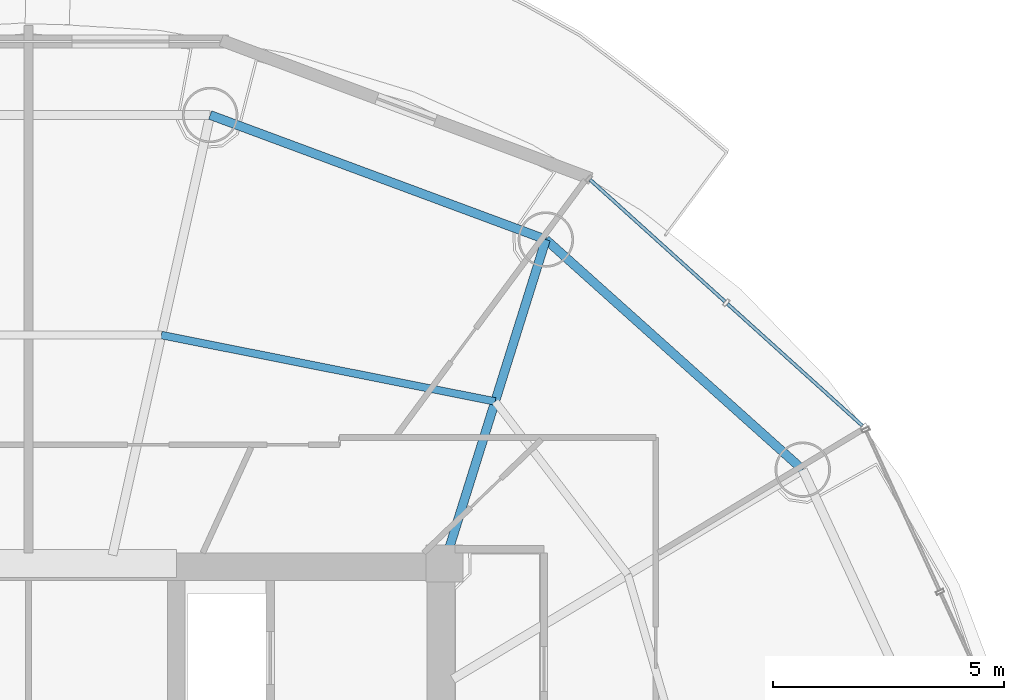
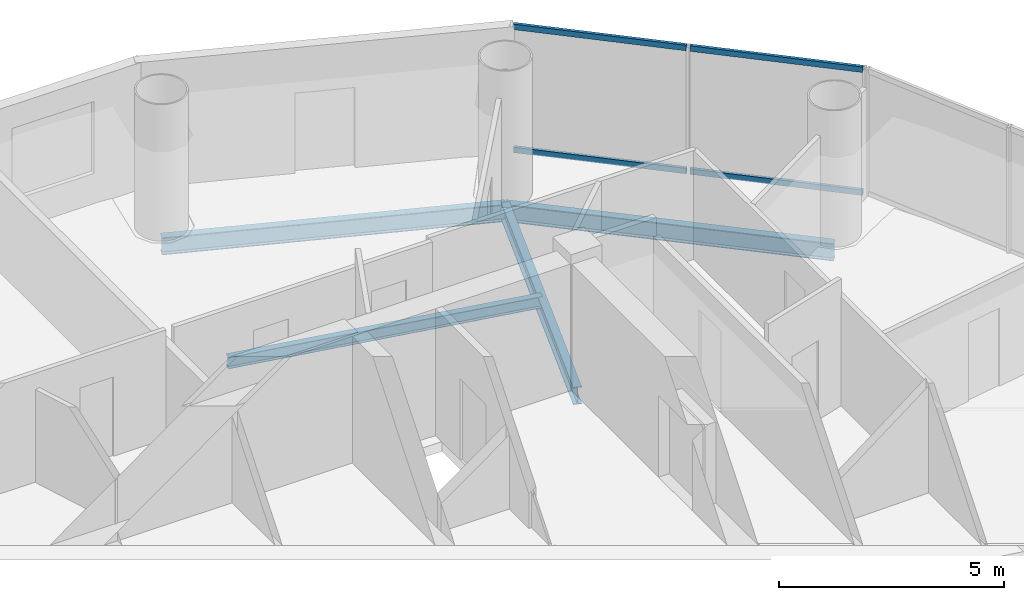
# One storey, part 17 of 26: 4 beams, 4 members, 1 element without a shape of its own.
"""IFC4 building model written with IfcOpenShell, lengths in metres."""

import ifcopenshell
import ifcopenshell.guid

model = None  # the IFC model being written
_history = None  # IfcOwnerHistory: only IFC2X3 demands one
_inside = {}  # id of a spatial element -> (the spatial element, [elements in it])
_under = {}  # id of a project, library or spatial element -> (it, [spatial elements below it])
_declared = {}  # id of a project -> (the project, [libraries it declares])
_typed = {}  # id of a type object -> (the type object, [elements of that type])
_made_of = {}  # id of a material, layer set ... -> (it, [elements and type objects made of it])


def new_model(schema):
    """Start an empty IFC model of exactly this schema.

    Asked for "IFC4X3", IfcOpenShell would pick the latest addendum, in which some entities
    have other attributes; the version numbers below select the first issue.
    IFC2X3 requires an IfcOwnerHistory on every rooted entity: one is made here for all.
    """
    global model, _history
    if schema == "IFC4X3":
        model = ifcopenshell.file(schema_version=(4, 3, 0, 0))
    else:
        model = ifcopenshell.file(schema=schema)
    _inside.clear()
    _under.clear()
    _declared.clear()
    _typed.clear()
    _made_of.clear()
    _history = None
    if model.schema == "IFC2X3":
        org = make("IfcOrganization", Name="unknown")
        user = make(
            "IfcPersonAndOrganization",
            ThePerson=make("IfcPerson", FamilyName="unknown"),
            TheOrganization=org,
        )
        app = make(
            "IfcApplication",
            ApplicationDeveloper=org,
            Version="unknown",
            ApplicationFullName="unknown",
            ApplicationIdentifier="unknown",
        )
        _history = make(
            "IfcOwnerHistory",
            OwningUser=user,
            OwningApplication=app,
            ChangeAction="ADDED",
            CreationDate=0,
        )
    return model


def make(cls, **values):
    """One entity of the class cls with the attributes given. An attribute that is None is left unset."""
    return model.create_entity(
        cls, **{name: value for name, value in values.items() if value is not None}
    )


def rooted(cls, **values):
    """An entity with a GlobalId (a new one), such as an element, a storey or a relation."""
    return make(cls, GlobalId=ifcopenshell.guid.new(), OwnerHistory=_history, **values)


def si_unit(unit_type, name, prefix=None):
    """IfcSIUnit, for example si_unit("LENGTHUNIT", "METRE", prefix="MILLI")."""
    return make("IfcSIUnit", UnitType=unit_type, Prefix=prefix, Name=name)


def assignment(units):
    """IfcUnitAssignment: the units of a project."""
    return None if units is None else make("IfcUnitAssignment", Units=units)


def point(xyz):
    """IfcCartesianPoint."""
    return None if xyz is None else make("IfcCartesianPoint", Coordinates=xyz)


def direction(xyz):
    """IfcDirection."""
    return None if xyz is None else make("IfcDirection", DirectionRatios=xyz)


def frame(location, z_axis=None, x_axis=None):
    """IfcAxis2Placement3D, a coordinate frame: its origin and axes. An axis left out is left unset."""
    return make(
        "IfcAxis2Placement3D",
        Location=point(location),
        Axis=direction(z_axis),
        RefDirection=direction(x_axis),
    )


def frame_2d(location, x_axis=None):
    """IfcAxis2Placement2D, a coordinate frame in the plane: its origin and x axis."""
    return make(
        "IfcAxis2Placement2D", Location=point(location), RefDirection=direction(x_axis)
    )


def origin():
    """The frame at (0, 0, 0) with its axes left unset."""
    return frame((0.0, 0.0, 0.0))


def origin_2d():
    """The frame at (0, 0) in the plane with its x axis left unset."""
    return frame_2d((0.0, 0.0))


def place(relative_to, where):
    """IfcLocalPlacement: puts the frame where relative to a parent placement (None: the world)."""
    return make(
        "IfcLocalPlacement", PlacementRelTo=relative_to, RelativePlacement=where
    )


def context(
    kind, dimensions, precision=None, world=None, true_north=None, identifier=None
):
    """IfcGeometricRepresentationContext, for example the 3D "Model" context."""
    return make(
        "IfcGeometricRepresentationContext",
        ContextIdentifier=identifier,
        ContextType=kind,
        CoordinateSpaceDimension=dimensions,
        Precision=precision,
        WorldCoordinateSystem=world,
        TrueNorth=true_north,
    )


def subcontext(parent, identifier, kind, view, scale=None):
    """IfcGeometricRepresentationSubContext, for example "Body" below "Model"."""
    return make(
        "IfcGeometricRepresentationSubContext",
        ContextIdentifier=identifier,
        ContextType=kind,
        ParentContext=parent,
        TargetScale=scale,
        TargetView=view,
    )


def project(units=None, contexts=None):
    """IfcProject with its units and contexts."""
    return rooted(
        "IfcProject",
        Name="project",
        RepresentationContexts=contexts,
        UnitsInContext=assignment(units),
    )


def spatial(cls, under=None, at=None, **own):
    """A site, building, storey or space (cls), placed at a placement, below another one or the project."""
    s = rooted(cls, ObjectPlacement=at, **own)
    if under is not None:
        _under.setdefault(under.id(), (under, []))[1].append(s)
    return s


def profile(cls, at=None, kind="AREA", **sizes):
    """A parametric profile (cls). Its sizes go by their IFC names, for example OverallWidth=200.0."""
    return make(cls, ProfileType=kind, Position=at, **sizes)


def hollow_rectangle(**sizes):
    """IfcRectangleHollowProfileDef."""
    return profile("IfcRectangleHollowProfileDef", **sizes)


def i_section(**sizes):
    """IfcIShapeProfileDef."""
    return profile("IfcIShapeProfileDef", **sizes)


def extrude(swept, where, along, depth):
    """IfcExtrudedAreaSolid: the profile swept, set in the frame where, extruded along a direction by depth."""
    return make(
        "IfcExtrudedAreaSolid",
        SweptArea=swept,
        Position=where,
        ExtrudedDirection=direction(along),
        Depth=depth,
    )


def shape(context_of_items, identifier, shape_type, items):
    """IfcShapeRepresentation: the items that make up one representation, for example the "Body"."""
    return make(
        "IfcShapeRepresentation",
        ContextOfItems=context_of_items,
        RepresentationIdentifier=identifier,
        RepresentationType=shape_type,
        Items=items,
    )


def source(mapping_origin, context_of_items, identifier, shape_type, items):
    """IfcRepresentationMap: a shape defined once, which mapped items show again and again."""
    return make(
        "IfcRepresentationMap",
        MappingOrigin=mapping_origin,
        MappedRepresentation=shape(context_of_items, identifier, shape_type, items),
    )


def transform(
    local_origin,
    x_axis=None,
    y_axis=None,
    z_axis=None,
    scale=None,
    scale2=None,
    scale3=None,
    uniform=True,
):
    """IfcCartesianTransformationOperator3D, or its non-uniform kind. x_axis, y_axis, z_axis: its Axis1, 2, 3."""
    if uniform:
        return make(
            "IfcCartesianTransformationOperator3D",
            Axis1=direction(x_axis),
            Axis2=direction(y_axis),
            LocalOrigin=point(local_origin),
            Scale=scale,
            Axis3=direction(z_axis),
        )
    return make(
        "IfcCartesianTransformationOperator3DnonUniform",
        Axis1=direction(x_axis),
        Axis2=direction(y_axis),
        LocalOrigin=point(local_origin),
        Scale=scale,
        Axis3=direction(z_axis),
        Scale2=scale2,
        Scale3=scale3,
    )


def mapped(mapping_source, mapping_target):
    """IfcMappedItem: shows the shape of a source again, moved by a transform."""
    return make(
        "IfcMappedItem", MappingSource=mapping_source, MappingTarget=mapping_target
    )


def material(Name=None, Category=None):
    """IfcMaterial."""
    return make("IfcMaterial", Name=Name, Category=Category)


def material_profile(
    of_material, cross_section, Name=None, Category=None, Priority=None
):
    """IfcMaterialProfile: a cross section and its material."""
    return make(
        "IfcMaterialProfile",
        Name=Name,
        Material=of_material,
        Profile=cross_section,
        Priority=Priority,
        Category=Category,
    )


def profile_set(profiles, Name=None, composite=None):
    """IfcMaterialProfileSet."""
    return make(
        "IfcMaterialProfileSet",
        Name=Name,
        MaterialProfiles=profiles,
        CompositeProfile=composite,
    )


def made_of(thing, what):
    """Note that an element or type object is made of a material, layer set ...; save() writes the relation."""
    if what is not None:
        _made_of.setdefault(what.id(), (what, []))[1].append(thing)
    return thing


def type_object(cls, material=None, **own):
    """A type object (cls), such as IfcWallType, which elements share."""
    return made_of(rooted(cls, **own), material)


def element(
    cls,
    number,
    at=None,
    inside=None,
    cuts=None,
    type_object=None,
    material=None,
    context=None,
    identifier="Body",
    shape_type=None,
    held_by="IfcProductDefinitionShape",
    body=None,
    shapes=None,
    **own,
):
    """One element of the class cls, such as IfcWall. Its Tag is "e" and its number.

    at: its placement. inside: the storey or other place that contains it. cuts: it is an
    opening in that element (IfcRelVoidsElement). A single representation is given by context,
    identifier, shape_type and body (its items); several are given by shapes. held_by: the class
    of the entity that holds the representations. save() writes the other relations.
    """
    e = rooted(cls, Tag="e%d" % number, ObjectPlacement=at, **own)
    if body is not None:
        shapes = [shape(context, identifier, shape_type, body)]
    if shapes is not None:
        e.Representation = make(held_by, Representations=shapes)
    if inside is not None:
        _inside.setdefault(inside.id(), (inside, []))[1].append(e)
    if cuts is not None:
        rooted(
            "IfcRelVoidsElement", RelatingBuildingElement=cuts, RelatedOpeningElement=e
        )
    if type_object is not None:
        _typed.setdefault(type_object.id(), (type_object, []))[1].append(e)
    return made_of(e, material)


def aggregate(whole, parts):
    """IfcRelAggregates: a whole, such as a stair, and the parts it consists of."""
    return rooted("IfcRelAggregates", RelatingObject=whole, RelatedObjects=parts)


def save(model, path):
    """Write the relations noted so far, then the file.

    IfcRelAggregates (storeys below a building ...), IfcRelContainedInSpatialStructure (elements
    in a storey), IfcRelDefinesByType, IfcRelAssociatesMaterial and IfcRelDeclares: one each for
    every whole, place, type object, material and project.
    """
    for whole, parts in _under.values():
        aggregate(whole, parts)
    for where, things in _inside.values():
        rooted(
            "IfcRelContainedInSpatialStructure",
            RelatedElements=things,
            RelatingStructure=where,
        )
    for kind, things in _typed.values():
        rooted("IfcRelDefinesByType", RelatedObjects=things, RelatingType=kind)
    for what, things in _made_of.values():
        rooted("IfcRelAssociatesMaterial", RelatedObjects=things, RelatingMaterial=what)
    for by, libraries in _declared.values():
        rooted("IfcRelDeclares", RelatingContext=by, RelatedDefinitions=libraries)
    model.write(path)


model = new_model("IFC4")

# Units and contexts
model_context = context("Model", 3, precision=1e-05, world=origin(), true_north=direction((-0.2419218956, 0.970295726276)))
body_context = subcontext(model_context, "Body", "Model", "MODEL_VIEW")
ifc_project = project(units=[si_unit("LENGTHUNIT", "METRE"), si_unit("AREAUNIT", "SQUARE_METRE"), si_unit("VOLUMEUNIT", "CUBIC_METRE"), si_unit("PLANEANGLEUNIT", "RADIAN"), si_unit("MASSUNIT", "GRAM", prefix="KILO")], contexts=[model_context])

# Site, building, storey
site_placement = place(None, origin())
site = spatial("IfcSite", under=ifc_project, at=site_placement, CompositionType="ELEMENT")
building_placement = place(site_placement, origin())
building = spatial("IfcBuilding", under=site, at=building_placement, Name="Cobrevalo Terracotta Tower", CompositionType="ELEMENT")
storey_placement = place(building_placement, frame((0.0, 0.0, 209.699951171875)))
storey = spatial("IfcBuildingStorey", under=building, at=storey_placement, Name="L55", CompositionType="ELEMENT", Elevation=209.699951171875)

# Beams
ifc_material_1 = material(Name="Steel S355", Category="steel")
ifc_material_profile_1 = material_profile(ifc_material_1, i_section(OverallWidth=0.194091796875, OverallDepth=0.468994140625, WebThickness=0.011474609375, FlangeThickness=0.0205078125, at=origin_2d()), Name="W 460x106")
ifc_profile_set_1 = profile_set([ifc_material_profile_1], Name="Steel S355")
beam_type_1 = type_object("IfcBeamType", Name="Structural Beam W 460x106 (Steel S355)", PredefinedType="BEAM", material=ifc_profile_set_1)
beam_1_placement = place(storey_placement, frame((49.19482421875, 41.80810546875, -0.49951171875), z_axis=(-0.298871212691, -0.954293454984, 0.0), x_axis=(0.954293454984, -0.298871212691, 0.0)))
element("IfcBeam", 1, at=beam_1_placement, inside=storey, type_object=beam_type_1, Name="L55 radial floor girder 03", PredefinedType="BEAM", context=body_context, shape_type="SweptSolid", body=[
    extrude(i_section(OverallWidth=0.194091796875, OverallDepth=0.468994140625, WebThickness=0.011474609375, FlangeThickness=0.0205078125, at=origin_2d()), origin(), (0.0, 0.0, 1.0), 7.34375),
])
ifc_material_profile_2 = material_profile(ifc_material_1, i_section(OverallWidth=0.1650390625, OverallDepth=0.31005859375, WebThickness=0.005859375, FlangeThickness=0.009765625, at=origin_2d()), Name="W 310x38.7")
ifc_profile_set_2 = profile_set([ifc_material_profile_2], Name="Steel S355")
beam_type_2 = type_object("IfcBeamType", Name="Structural Joist W 310x38.7 (Steel S355)", PredefinedType="JOIST", material=ifc_profile_set_2)
beam_2_placement = place(storey_placement, frame((48.097412109375, 38.303955078125, -0.419921875), z_axis=(-0.980762562197, 0.195204499418, 0.0), x_axis=(-0.195204499418, -0.980762562197, 0.0)))
element("IfcBeam", 2, at=beam_2_placement, inside=storey, type_object=beam_type_2, Name="L55 circumferential secondary floor joist 03", PredefinedType="JOIST", context=body_context, shape_type="SweptSolid", body=[
    extrude(i_section(OverallWidth=0.1650390625, OverallDepth=0.31005859375, WebThickness=0.005859375, FlangeThickness=0.009765625, at=origin_2d()), origin(), (0.0, 0.0, 1.0), 7.365234375),
])
ifc_material_profile_3 = material_profile(ifc_material_1, i_section(OverallWidth=0.194091796875, OverallDepth=0.468994140625, WebThickness=0.011474609375, FlangeThickness=0.0205078125, at=origin_2d()), Name="W 460x106")
ifc_profile_set_3 = profile_set([ifc_material_profile_3], Name="Steel S355")
beam_type_3 = type_object("IfcBeamType", Name="Structural Spandrel W 460x106 (Steel S355)", PredefinedType="SPANDREL", material=ifc_profile_set_3)
beam_3_placement = place(storey_placement, frame((54.754150390625, 36.828125, -0.49951171875), z_axis=(-0.744851930997, 0.667229796165, 0.0), x_axis=(-0.667229796165, -0.744851930997, 0.0)))
element("IfcBeam", 3, at=beam_3_placement, inside=storey, type_object=beam_type_3, Name="L55 perimeter ring spandrel 02", PredefinedType="SPANDREL", context=body_context, shape_type="SweptSolid", body=[
    extrude(i_section(OverallWidth=0.194091796875, OverallDepth=0.468994140625, WebThickness=0.011474609375, FlangeThickness=0.0205078125, at=origin_2d()), origin(), (0.0, 0.0, 1.0), 7.463623046875),
])
beam_4_placement = place(storey_placement, frame((49.19482421875, 41.80810546875, -0.49951171875), z_axis=(-0.937545996665, 0.347861328892, 0.0), x_axis=(-0.347861328892, -0.937545996665, 0.0)))
element("IfcBeam", 4, at=beam_4_placement, inside=storey, type_object=beam_type_3, Name="L55 perimeter ring spandrel 03", PredefinedType="SPANDREL", context=body_context, shape_type="SweptSolid", body=[
    extrude(i_section(OverallWidth=0.194091796875, OverallDepth=0.468994140625, WebThickness=0.011474609375, FlangeThickness=0.0205078125, at=origin_2d()), origin(), (0.0, 0.0, 1.0), 7.74755859375),
])

# Curtain wall, members
ifc_material_2 = material(Name="Anodized aluminium", Category="aluminium")
curtain_wall_type = type_object("IfcCurtainWallType", Name="Mid-tower high-wind unitised curtain wall CW-U2", PredefinedType="NOTDEFINED", material=ifc_material_2)
curtain_wall_placement = place(storey_placement, origin())
curtain_wall = element("IfcCurtainWall", 5, at=curtain_wall_placement, inside=storey, type_object=curtain_wall_type, Name="L55 curtain wall CW-L55-S02", PredefinedType="NOTDEFINED")
ifc_material_profile_4 = material_profile(ifc_material_2, hollow_rectangle(XDim=0.074951171875, YDim=0.14990234375, WallThickness=0.00439453125, at=origin_2d()), Name="CWT 75x150")
ifc_profile_set_4 = profile_set([ifc_material_profile_4], Name="Anodized aluminium")
member_type = type_object("IfcMemberType", Name="Tower unitised aluminium transom 75x150", PredefinedType="USERDEFINED", material=ifc_profile_set_4)
shared_shape_1 = source(origin(), body_context, "Body", "SweptSolid", [
    extrude(hollow_rectangle(XDim=0.074951171875, YDim=0.14990234375, WallThickness=0.00439453125, at=origin_2d()), origin(), (0.0, 0.0, 1.0), 3.927490234375),
])
member_1_placement = place(storey_placement, frame((56.041748046875, 37.78173828125, 0.050048828125), z_axis=(-0.741975952623, 0.670426495396, 0.0), x_axis=(-0.670426495396, -0.741975952623, 0.0)))
member_1 = element("IfcMember", 6, at=member_1_placement, type_object=member_type, Name="CW-L55-S02 transom B01-T1", ObjectType="TRANSOM", PredefinedType="USERDEFINED", context=body_context, shape_type="MappedRepresentation", body=[
    mapped(shared_shape_1, transform((0.0, 0.0, 0.0), scale=1.0)),
])
member_2_placement = place(storey_placement, frame((56.041748046875, 37.78173828125, 3.385009765625), z_axis=(-0.741975952623, 0.670426495396, 0.0), x_axis=(-0.670426495396, -0.741975952623, 0.0)))
member_2 = element("IfcMember", 7, at=member_2_placement, type_object=member_type, Name="CW-L55-S02 transom B01-T2", ObjectType="TRANSOM", PredefinedType="USERDEFINED", context=body_context, shape_type="MappedRepresentation", body=[
    mapped(shared_shape_1, transform((0.0, 0.0, 0.0), scale=1.0)),
])
shared_shape_2 = source(origin(), body_context, "Body", "SweptSolid", [
    extrude(hollow_rectangle(XDim=0.074951171875, YDim=0.14990234375, WallThickness=0.00439453125, at=origin_2d()), origin(), (0.0, 0.0, 1.0), 3.927734375),
])
member_3_placement = place(storey_placement, frame((53.068359375, 40.46826171875, 0.050048828125), z_axis=(-0.742003891138, 0.670395573923, 0.0), x_axis=(-0.670395573923, -0.742003891138, 0.0)))
member_3 = element("IfcMember", 8, at=member_3_placement, type_object=member_type, Name="CW-L55-S02 transom B02-T1", ObjectType="TRANSOM", PredefinedType="USERDEFINED", context=body_context, shape_type="MappedRepresentation", body=[
    mapped(shared_shape_2, transform((0.0, 0.0, 0.0), scale=1.0)),
])
member_4_placement = place(storey_placement, frame((53.068359375, 40.46826171875, 3.385009765625), z_axis=(-0.742003891138, 0.670395573923, 0.0), x_axis=(-0.670395573923, -0.742003891138, 0.0)))
member_4 = element("IfcMember", 9, at=member_4_placement, type_object=member_type, Name="CW-L55-S02 transom B02-T2", ObjectType="TRANSOM", PredefinedType="USERDEFINED", context=body_context, shape_type="MappedRepresentation", body=[
    mapped(shared_shape_2, transform((0.0, 0.0, 0.0), scale=1.0)),
])
aggregate(curtain_wall, [member_1, member_2, member_3, member_4])

save(model, "model.ifc")
